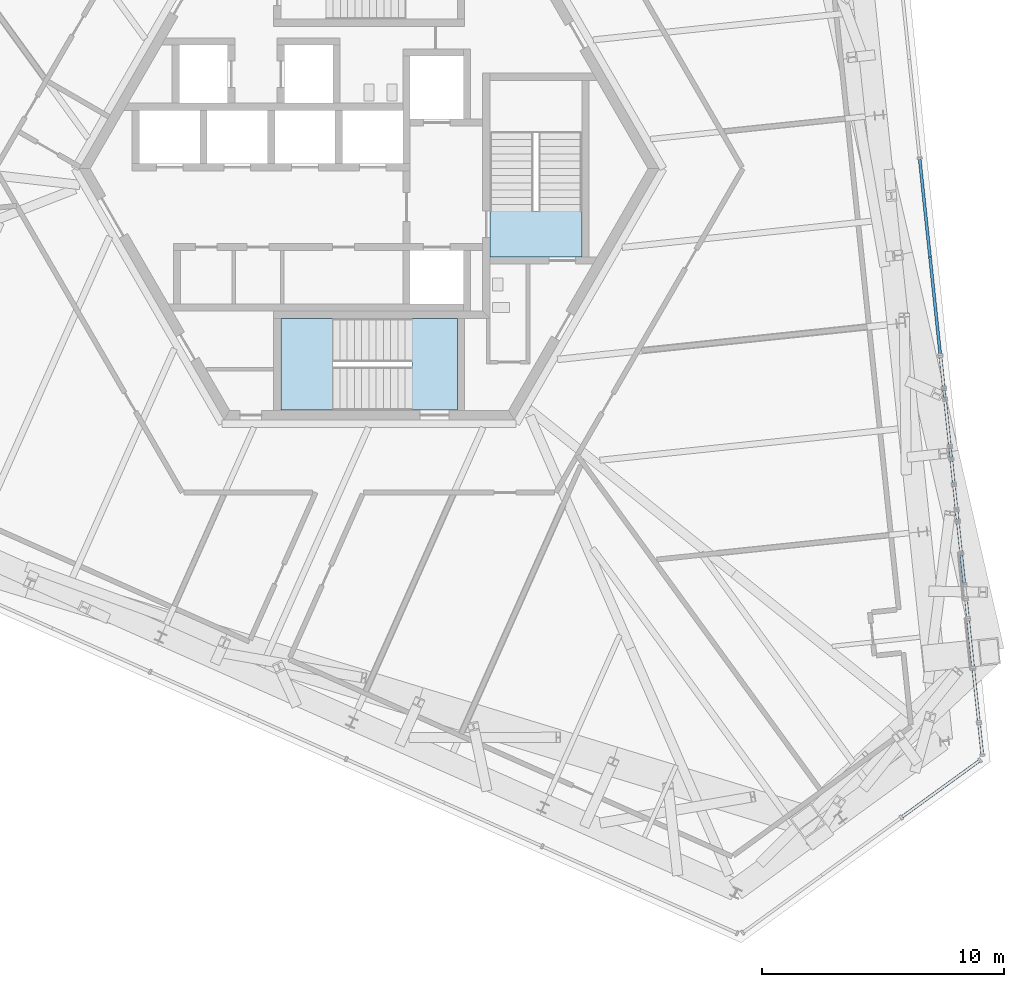
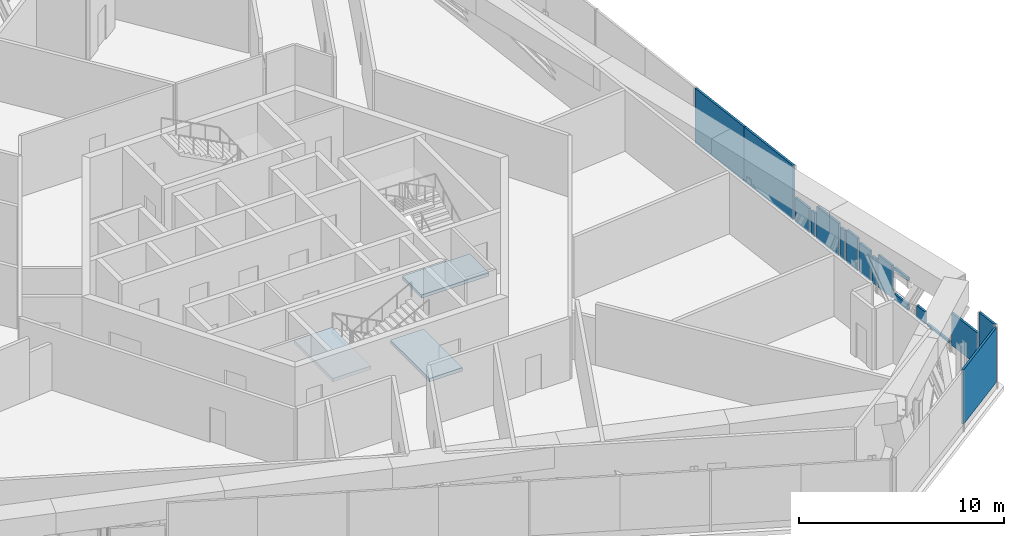
# One storey, part 14 of 30: 17 plates, 3 slabs, 18 elements without a shape of their own.
"""IFC4 building model written with IfcOpenShell, lengths in metres."""

from ifc_helpers import new_model, si_unit, direction, frame, origin, origin_2d, place, context, subcontext, project, spatial, polyline, rectangle, outline, extrude, source, transform, mapped, material, layer, layer_set, type_object, element, aggregate, save


model = new_model("IFC4")

# Units and contexts
model_context = context("Model", 3, precision=1e-05, world=origin(), true_north=direction((0.0, 1.0)))
body_context = subcontext(model_context, "Body", "Model", "MODEL_VIEW")
ifc_project = project(units=[si_unit("LENGTHUNIT", "METRE"), si_unit("AREAUNIT", "SQUARE_METRE"), si_unit("VOLUMEUNIT", "CUBIC_METRE"), si_unit("PLANEANGLEUNIT", "RADIAN"), si_unit("MASSUNIT", "GRAM", prefix="KILO")], contexts=[model_context])

# Site, building, storey
site_placement = place(None, origin())
site = spatial("IfcSite", under=ifc_project, at=site_placement, CompositionType="ELEMENT")
building_placement = place(site_placement, origin())
building = spatial("IfcBuilding", under=site, at=building_placement, Name="Triune Harvest Tower", CompositionType="ELEMENT")
storey_placement = place(building_placement, frame((0.0, 0.0, 94.5)))
storey = spatial("IfcBuildingStorey", under=building, at=storey_placement, Name="L23", CompositionType="ELEMENT", Elevation=94.5)

# Curtain wall, plate
ifc_material_1 = material(Name="Aluminium bronze anodised", Category="aluminium")
curtain_wall_type = type_object("IfcCurtainWallType", Name="CW-5 Plant louvre wall", PredefinedType="NOTDEFINED", material=ifc_material_1)
curtain_wall_1_placement = place(storey_placement, origin())
curtain_wall_1 = element("IfcCurtainWall", 1, at=curtain_wall_1_placement, inside=storey, type_object=curtain_wall_type, Name="CW-5 B2-F1 L23 run 301")
ifc_material_2 = material(Name="Aluminium bronze anodised", Category="aluminium")
ifc_layer_1 = layer(ifc_material_2, 0.1201171875)
ifc_layer_set_1 = layer_set([ifc_layer_1], Name="Aluminium bronze anodised")
plate_type = type_object("IfcPlateType", Name="GL-5 panel 120", PredefinedType="CURTAIN_PANEL", material=ifc_layer_set_1)
plate_1_placement = place(storey_placement, frame((24.736083984375, -18.204345703125, 0.39990234375), z_axis=(0.0, 0.0, 1.0), x_axis=(-0.104635042321, 0.994510687684, 0.0)))
plate_1 = element("IfcPlate", 2, at=plate_1_placement, type_object=plate_type, Name="CW-5 panel B2-F1 301.1", PredefinedType="CURTAIN_PANEL", context=body_context, shape_type="SweptSolid", body=[
    extrude(rectangle(XDim=0.67724609375, YDim=0.1201171875, at=origin_2d()), origin(), (0.0, 0.0, 1.0), 0.723388671875),
])
aggregate(curtain_wall_1, [plate_1])

curtain_wall_2_placement = place(storey_placement, origin())
curtain_wall_2 = element("IfcCurtainWall", 3, at=curtain_wall_2_placement, inside=storey, type_object=curtain_wall_type, Name="CW-5 B2-F1 L23 run 501")
plate_2_placement = place(storey_placement, frame((24.563720703125, -16.563720703125, 0.39990234375), z_axis=(0.0, 0.0, 1.0), x_axis=(-0.104534508721, 0.994521259947, 0.0)))
plate_2 = element("IfcPlate", 4, at=plate_2_placement, type_object=plate_type, Name="CW-5 panel B2-F1 501.1", PredefinedType="CURTAIN_PANEL", context=body_context, shape_type="SweptSolid", body=[
    extrude(rectangle(XDim=1.15625, YDim=0.1201171875, at=origin_2d()), origin(), (0.0, 0.0, 1.0), 0.36279296875),
])
aggregate(curtain_wall_2, [plate_2])

curtain_wall_3_placement = place(storey_placement, origin())
curtain_wall_3 = element("IfcCurtainWall", 5, at=curtain_wall_3_placement, inside=storey, type_object=curtain_wall_type, Name="CW-5 B2-F1 L23 run 601")
plate_3_placement = place(storey_placement, frame((24.563720703125, -16.563720703125, 2.1591796875), z_axis=(0.0, 0.0, 1.0), x_axis=(-0.104534508721, 0.994521259947, 0.0)))
plate_3 = element("IfcPlate", 6, at=plate_3_placement, type_object=plate_type, Name="CW-5 panel B2-F1 601.1", PredefinedType="CURTAIN_PANEL", context=body_context, shape_type="SweptSolid", body=[
    extrude(rectangle(XDim=1.15625, YDim=0.1201171875, at=origin_2d()), origin(), (0.0, 0.0, 1.0), 0.170654296875),
])
aggregate(curtain_wall_3, [plate_3])

curtain_wall_4_placement = place(storey_placement, origin())
curtain_wall_4 = element("IfcCurtainWall", 7, at=curtain_wall_4_placement, inside=storey, type_object=curtain_wall_type, Name="CW-5 B2-F1 L23 run 701")
plate_4_placement = place(storey_placement, frame((24.426025390625, -15.254638671875, 0.39990234375), z_axis=(0.0, 0.0, 1.0), x_axis=(-0.104526611359, 0.99452209001, 0.0)))
plate_4 = element("IfcPlate", 8, at=plate_4_placement, type_object=plate_type, Name="CW-5 panel B2-F1 701.1", PredefinedType="CURTAIN_PANEL", context=body_context, shape_type="SweptSolid", body=[
    extrude(rectangle(XDim=1.156494140625, YDim=0.1201171875, at=origin_2d()), origin(), (0.0, 0.0, 1.0), 1.929931640625),
])
aggregate(curtain_wall_4, [plate_4])

curtain_wall_5_placement = place(storey_placement, origin())
curtain_wall_5 = element("IfcCurtainWall", 9, at=curtain_wall_5_placement, inside=storey, type_object=curtain_wall_type, Name="CW-5 B2-F1 L23 run 801")
plate_5_placement = place(storey_placement, frame((24.330810546875, -14.34912109375, 0.39990234375), z_axis=(0.0, 0.0, 1.0), x_axis=(-0.104643517787, 0.994509795922, 0.0)))
plate_5 = element("IfcPlate", 10, at=plate_5_placement, type_object=plate_type, Name="CW-5 panel B2-F1 801.1", PredefinedType="CURTAIN_PANEL", context=body_context, shape_type="SweptSolid", body=[
    extrude(rectangle(XDim=0.344482421875, YDim=0.1201171875, at=origin_2d()), origin(), (0.0, 0.0, 1.0), 1.576904296875),
])
aggregate(curtain_wall_5, [plate_5])

curtain_wall_6_placement = place(storey_placement, origin())
curtain_wall_6 = element("IfcCurtainWall", 11, at=curtain_wall_6_placement, inside=storey, type_object=curtain_wall_type, Name="CW-5 B2-F1 L23 run 1001")
plate_6_placement = place(storey_placement, frame((24.140625, -12.538330078125, 0.39990234375), z_axis=(0.0, 0.0, 1.0), x_axis=(-0.104530455113, 0.994521686015, 0.0)))
plate_6 = element("IfcPlate", 12, at=plate_6_placement, type_object=plate_type, Name="CW-5 panel B2-F1 1001.1", PredefinedType="CURTAIN_PANEL", context=body_context, shape_type="SweptSolid", body=[
    extrude(rectangle(XDim=0.8857421875, YDim=0.1201171875, at=origin_2d()), origin(), (0.0, 0.0, 1.0), 1.929931640625),
])
aggregate(curtain_wall_6, [plate_6])

curtain_wall_7_placement = place(storey_placement, origin())
curtain_wall_7 = element("IfcCurtainWall", 13, at=curtain_wall_7_placement, inside=storey, type_object=curtain_wall_type, Name="CW-5 B2-F1 L23 run 1101")
plate_7_placement = place(storey_placement, frame((24.05810546875, -11.754150390625, 0.39990234375), z_axis=(0.0, 0.0, 1.0), x_axis=(-0.104420347206, 0.994533252883, 0.0)))
plate_7 = element("IfcPlate", 14, at=plate_7_placement, type_object=plate_type, Name="CW-5 panel B2-F1 1101.1", PredefinedType="CURTAIN_PANEL", context=body_context, shape_type="SweptSolid", body=[
    extrude(rectangle(XDim=0.37158203125, YDim=0.1201171875, at=origin_2d()), origin(), (0.0, 0.0, 1.0), 1.789794921875),
])
aggregate(curtain_wall_7, [plate_7])

curtain_wall_8_placement = place(storey_placement, origin())
curtain_wall_8 = element("IfcCurtainWall", 15, at=curtain_wall_8_placement, inside=storey, type_object=curtain_wall_type, Name="CW-5 B2-F1 L23 run 1201")
plate_8_placement = place(storey_placement, frame((23.927978515625, -10.514892578125, 0.39990234375), z_axis=(0.0, 0.0, 1.0), x_axis=(-0.104552041271, 0.994519416938, 0.0)))
plate_8 = element("IfcPlate", 16, at=plate_8_placement, type_object=plate_type, Name="CW-5 panel B2-F1 1201.1", PredefinedType="CURTAIN_PANEL", context=body_context, shape_type="SweptSolid", body=[
    extrude(rectangle(XDim=1.80078125, YDim=0.1201171875, at=origin_2d()), origin(), (0.0, 0.0, 1.0), 1.929931640625),
])
aggregate(curtain_wall_8, [plate_8])

curtain_wall_9_placement = place(storey_placement, origin())
curtain_wall_9 = element("IfcCurtainWall", 17, at=curtain_wall_9_placement, inside=storey, type_object=curtain_wall_type, Name="CW-5 B2-F1 L23 run 1301")
plate_9_placement = place(storey_placement, frame((23.801513671875, -9.313232421875, 0.400146484375), z_axis=(0.0, 0.0, 1.0), x_axis=(-0.104456317386, 0.99452947556, 0.0)))
plate_9 = element("IfcPlate", 18, at=plate_9_placement, type_object=plate_type, Name="CW-5 panel B2-F1 1301.1", PredefinedType="CURTAIN_PANEL", context=body_context, shape_type="SweptSolid", body=[
    extrude(rectangle(XDim=0.295654296875, YDim=0.1201171875, at=origin_2d()), origin(), (0.0, 0.0, 1.0), 1.43603515625),
])
aggregate(curtain_wall_9, [plate_9])

curtain_wall_10_placement = place(storey_placement, origin())
curtain_wall_10 = element("IfcCurtainWall", 19, at=curtain_wall_10_placement, inside=storey, type_object=curtain_wall_type, Name="CW-5 B2-F1 L23 run 1401")
plate_10_placement = place(storey_placement, frame((23.706787109375, -8.410888671875, 0.39990234375), z_axis=(0.0, 0.0, 1.0), x_axis=(-0.104516201984, 0.994523184005, 0.0)))
plate_10 = element("IfcPlate", 20, at=plate_10_placement, type_object=plate_type, Name="CW-5 panel B2-F1 1401.1", PredefinedType="CURTAIN_PANEL", context=body_context, shape_type="SweptSolid", body=[
    extrude(rectangle(XDim=1.19873046875, YDim=0.1201171875, at=origin_2d()), origin(), (0.0, 0.0, 1.0), 1.43603515625),
])
aggregate(curtain_wall_10, [plate_10])

# Stair, slabs
ifc_material_3 = material(Name="Concrete 40 MPa", Category="concrete")
stair_type = type_object("IfcStairType", Name="Exit stair 1800 half turn", PredefinedType="HALF_TURN_STAIR", material=ifc_material_3)
stair_1_placement = place(storey_placement, origin())
stair_1 = element("IfcStair", 21, at=stair_1_placement, inside=storey, type_object=stair_type, Name="Exit stair south", PredefinedType="HALF_TURN_STAIR")
ifc_material_4 = material(Name="Concrete 40 MPa", Category="concrete")
ifc_layer_2 = layer(ifc_material_4, 0.199951171875)
ifc_layer_set_2 = layer_set([ifc_layer_2], Name="Concrete 40 MPa")
slab_type = type_object("IfcSlabType", Name="Stair landing 200", PredefinedType="LANDING", material=ifc_layer_set_2)
shared_shape_1 = source(origin(), body_context, "Body", "SweptSolid", [
    extrude(outline(polyline([(-1.510009765625, -6.18994140625), (-3.64990234375, -6.18994140625), (-3.64990234375, -9.989990234375), (-1.510009765625, -9.989990234375), (-1.510009765625, -6.18994140625)])), origin(), (0.0, 0.0, 1.0), 0.199951171875),
])
slab_1_placement = place(storey_placement, frame((0.0, 0.0, 1.699951171875)))
slab_1 = element("IfcSlab", 22, at=slab_1_placement, type_object=slab_type, Name="ST-2 landing 2", PredefinedType="LANDING", context=body_context, shape_type="MappedRepresentation", body=[
    mapped(shared_shape_1, transform((0.0, 0.0, 0.0), scale=1.0)),
])
shared_shape_2 = source(origin(), body_context, "Body", "SweptSolid", [
    extrude(outline(polyline([(3.64990234375, -6.18994140625), (1.780029296875, -6.18994140625), (1.780029296875, -9.989990234375), (3.64990234375, -9.989990234375), (3.64990234375, -6.18994140625)])), origin(), (0.0, 0.0, 1.0), 0.199951171875),
])
slab_2_placement = place(storey_placement, frame((0.0, 0.0, -0.199951171875)))
slab_2 = element("IfcSlab", 23, at=slab_2_placement, type_object=slab_type, Name="ST-2 landing 1", PredefinedType="LANDING", context=body_context, shape_type="MappedRepresentation", body=[
    mapped(shared_shape_2, transform((0.0, 0.0, 0.0), scale=1.0)),
])
aggregate(stair_1, [slab_2, slab_1])

# Stair, slab
stair_2_placement = place(storey_placement, origin())
stair_2 = element("IfcStair", 24, at=stair_2_placement, inside=storey, type_object=stair_type, Name="Exit stair east", PredefinedType="HALF_TURN_STAIR")
shared_shape_3 = source(origin(), body_context, "Body", "SweptSolid", [
    extrude(outline(polyline([(8.800048828125, -3.64990234375), (8.800048828125, -1.780029296875), (5.0, -1.780029296875), (5.0, -3.64990234375), (8.800048828125, -3.64990234375)])), origin(), (0.0, 0.0, 1.0), 0.199951171875),
])
slab_3_placement = place(storey_placement, frame((0.0, 0.0, -0.199951171875)))
slab_3 = element("IfcSlab", 25, at=slab_3_placement, type_object=slab_type, Name="ST-3 landing 1", PredefinedType="LANDING", context=body_context, shape_type="MappedRepresentation", body=[
    mapped(shared_shape_3, transform((0.0, 0.0, 0.0), scale=1.0)),
])
aggregate(stair_2, [slab_3])

# Curtain wall, plate
curtain_wall_11_placement = place(storey_placement, origin())
curtain_wall_11 = element("IfcCurtainWall", 26, at=curtain_wall_11_placement, inside=storey, type_object=curtain_wall_type, Name="CW-5 B2-F1 L23 run 1")
shared_shape_4 = source(origin(), body_context, "Body", "SweptSolid", [
    extrude(rectangle(XDim=1.2314453125, YDim=0.1201171875, at=origin_2d()), origin(), (0.0, 0.0, 1.0), 3.239990234375),
])
plate_11_placement = place(storey_placement, frame((25.304443359375, -23.612060546875, 0.39990234375), z_axis=(0.0, 0.0, 1.0), x_axis=(-0.104561336073, 0.994518439748, 0.0)))
plate_11 = element("IfcPlate", 27, at=plate_11_placement, type_object=plate_type, Name="CW-5 panel B2-F1 1.1", PredefinedType="CURTAIN_PANEL", context=body_context, shape_type="MappedRepresentation", body=[
    mapped(shared_shape_4, transform((0.0, 0.0, 0.0), scale=1.0)),
])
aggregate(curtain_wall_11, [plate_11])

curtain_wall_12_placement = place(storey_placement, origin())
curtain_wall_12 = element("IfcCurtainWall", 28, at=curtain_wall_12_placement, inside=storey, type_object=curtain_wall_type, Name="CW-5 B2-F1 L23 run 101")
shared_shape_5 = source(origin(), body_context, "Body", "SweptSolid", [
    extrude(rectangle(XDim=2.105712890625, YDim=0.1201171875, at=origin_2d()), origin(), (0.0, 0.0, 1.0), 1.929931640625),
])
plate_12_placement = place(storey_placement, frame((25.11328125, -21.79345703125, 0.39990234375), z_axis=(0.0, 0.0, 1.0), x_axis=(-0.104510180092, 0.994523816838, 0.0)))
plate_12 = element("IfcPlate", 29, at=plate_12_placement, type_object=plate_type, Name="CW-5 panel B2-F1 101.1", PredefinedType="CURTAIN_PANEL", context=body_context, shape_type="MappedRepresentation", body=[
    mapped(shared_shape_5, transform((0.0, 0.0, 0.0), scale=1.0)),
])
aggregate(curtain_wall_12, [plate_12])

curtain_wall_13_placement = place(storey_placement, origin())
curtain_wall_13 = element("IfcCurtainWall", 30, at=curtain_wall_13_placement, inside=storey, type_object=curtain_wall_type, Name="CW-5 B2-F1 L23 run 201")
shared_shape_6 = source(origin(), body_context, "Body", "SweptSolid", [
    extrude(rectangle(XDim=1.897216796875, YDim=0.1201171875, at=origin_2d()), origin(), (0.0, 0.0, 1.0), 0.132080078125),
])
plate_13_placement = place(storey_placement, frame((24.887451171875, -19.643798828125, 0.39990234375), z_axis=(0.0, 0.0, 1.0), x_axis=(-0.104507662511, 0.994524081396, 0.0)))
plate_13 = element("IfcPlate", 31, at=plate_13_placement, type_object=plate_type, Name="CW-5 panel B2-F1 201.1", PredefinedType="CURTAIN_PANEL", context=body_context, shape_type="MappedRepresentation", body=[
    mapped(shared_shape_6, transform((0.0, 0.0, 0.0), scale=1.0)),
])
aggregate(curtain_wall_13, [plate_13])

curtain_wall_14_placement = place(storey_placement, origin())
curtain_wall_14 = element("IfcCurtainWall", 32, at=curtain_wall_14_placement, inside=storey, type_object=curtain_wall_type, Name="CW-5 B2-F1 L23 run 901")
shared_shape_7 = source(origin(), body_context, "Body", "SweptSolid", [
    extrude(rectangle(XDim=0.8857421875, YDim=0.1201171875, at=origin_2d()), origin(), (0.0, 0.0, 1.0), 1.77001953125),
])
plate_14_placement = place(storey_placement, frame((24.249755859375, -13.578369140625, 0.400146484375), z_axis=(0.0, 0.0, 1.0), x_axis=(-0.104530455113, 0.994521686015, 0.0)))
plate_14 = element("IfcPlate", 33, at=plate_14_placement, type_object=plate_type, Name="CW-5 panel B2-F1 901.1", PredefinedType="CURTAIN_PANEL", context=body_context, shape_type="MappedRepresentation", body=[
    mapped(shared_shape_7, transform((0.0, 0.0, 0.0), scale=1.0)),
])
aggregate(curtain_wall_14, [plate_14])

# Curtain wall, plates
curtain_wall_15_placement = place(storey_placement, origin())
curtain_wall_15 = element("IfcCurtainWall", 34, at=curtain_wall_15_placement, inside=storey, type_object=curtain_wall_type, Name="CW-5 B2-F1 L23 run 1501")
shared_shape_8 = source(origin(), body_context, "Body", "SweptSolid", [
    extrude(rectangle(XDim=4.02978515625, YDim=0.1201171875, at=origin_2d()), origin(), (0.0, 0.0, 1.0), 3.239990234375),
])
plate_15_placement = place(storey_placement, frame((23.416748046875, -5.652099609375, 0.39990234375), z_axis=(0.0, 0.0, 1.0), x_axis=(-0.104528282973, 0.994521914318, 0.0)))
plate_15 = element("IfcPlate", 35, at=plate_15_placement, type_object=plate_type, Name="CW-5 panel B2-F1 1501.1", PredefinedType="CURTAIN_PANEL", context=body_context, shape_type="MappedRepresentation", body=[
    mapped(shared_shape_8, transform((0.0, 0.0, 0.0), scale=1.0)),
])
shared_shape_9 = source(origin(), body_context, "Body", "SweptSolid", [
    extrude(rectangle(XDim=4.069580078125, YDim=0.1201171875, at=origin_2d()), origin(), (0.0, 0.0, 1.0), 3.239990234375),
])
plate_16_placement = place(storey_placement, frame((22.993408203125, -1.62451171875, 0.39990234375), z_axis=(0.0, 0.0, 1.0), x_axis=(-0.104528282973, 0.994521914318, 0.0)))
plate_16 = element("IfcPlate", 36, at=plate_16_placement, type_object=plate_type, Name="CW-5 panel B2-F1 1501.2", PredefinedType="CURTAIN_PANEL", context=body_context, shape_type="MappedRepresentation", body=[
    mapped(shared_shape_9, transform((0.0, 0.0, 0.0), scale=1.0)),
])
aggregate(curtain_wall_15, [plate_15, plate_16])

# Curtain wall, plate
curtain_wall_16_placement = place(storey_placement, origin())
curtain_wall_16 = element("IfcCurtainWall", 37, at=curtain_wall_16_placement, inside=storey, type_object=curtain_wall_type, Name="CW-5 B2-F6 L23 run 1")
shared_shape_10 = source(origin(), body_context, "Body", "SweptSolid", [
    extrude(rectangle(XDim=3.953369140625, YDim=0.1201171875, at=origin_2d()), origin(), (0.0, 0.0, 1.0), 3.239990234375),
])
plate_17_placement = place(storey_placement, frame((23.64990234375, -25.6552734375, 0.39990234375), z_axis=(0.0, 0.0, 1.0), x_axis=(0.809013235692, 0.58779042564, 0.0)))
plate_17 = element("IfcPlate", 38, at=plate_17_placement, type_object=plate_type, Name="CW-5 panel B2-F6 1.3", PredefinedType="CURTAIN_PANEL", context=body_context, shape_type="MappedRepresentation", body=[
    mapped(shared_shape_10, transform((0.0, 0.0, 0.0), scale=1.0)),
])
aggregate(curtain_wall_16, [plate_17])

save(model, "model.ifc")
